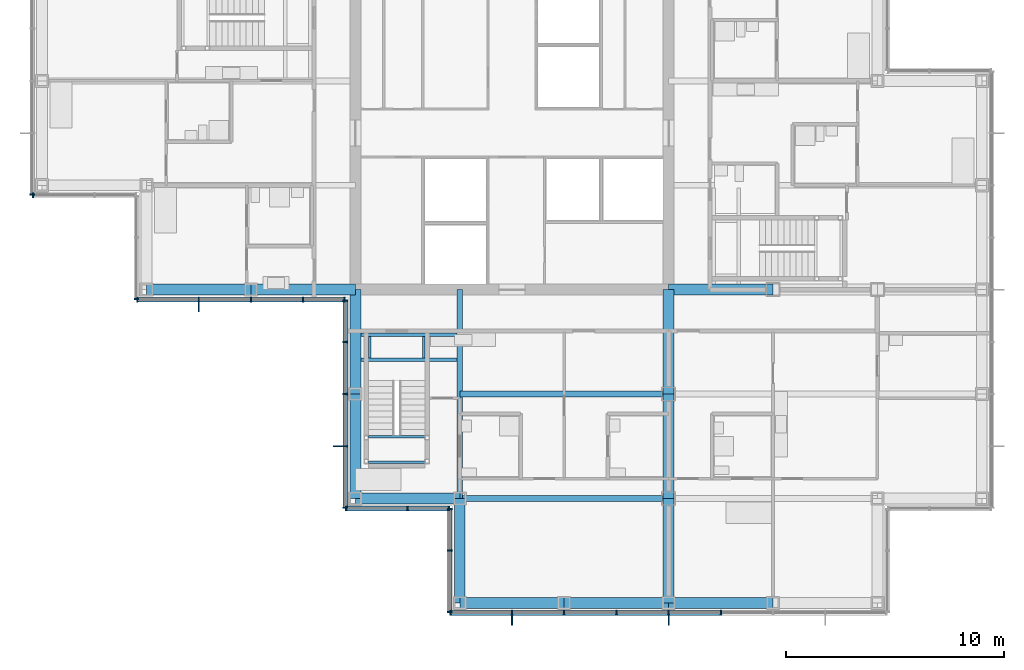
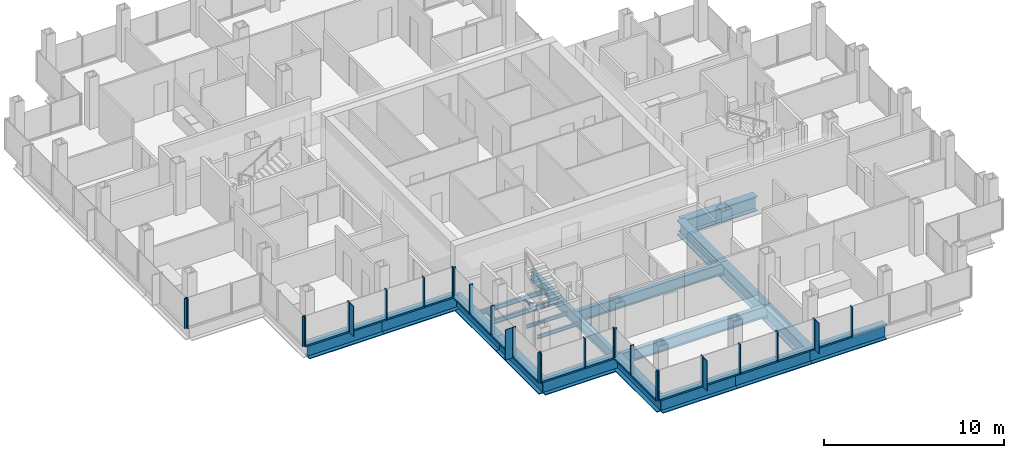
# One storey, part 6 of 20: 46 members, 22 beams, 8 elements without a shape of their own.
"""IFC4 building model written with IfcOpenShell, lengths in metres."""

from ifc_helpers import new_model, si_unit, direction, frame, origin, origin_2d, place, context, subcontext, project, spatial, rectangle, i_section, extrude, material, material_profile, profile_set, type_object, element, aggregate, save


model = new_model("IFC4")

# Units and contexts
model_context = context("Model", 3, precision=1e-05, world=origin(), true_north=direction((0.0, 1.0)))
body_context = subcontext(model_context, "Body", "Model", "MODEL_VIEW")
ifc_project = project(units=[si_unit("LENGTHUNIT", "METRE"), si_unit("AREAUNIT", "SQUARE_METRE"), si_unit("VOLUMEUNIT", "CUBIC_METRE"), si_unit("PLANEANGLEUNIT", "RADIAN"), si_unit("MASSUNIT", "GRAM", prefix="KILO")], contexts=[model_context])

# Site, building, storey
site_placement = place(None, origin())
site = spatial("IfcSite", under=ifc_project, at=site_placement, CompositionType="ELEMENT")
building_placement = place(site_placement, origin())
building = spatial("IfcBuilding", under=site, at=building_placement, Name="Kvirike Care Tower", CompositionType="ELEMENT")
storey_placement = place(building_placement, frame((0.0, 0.0, 133.0)))
storey = spatial("IfcBuildingStorey", under=building, at=storey_placement, Name="L36", CompositionType="ELEMENT", Elevation=133.0)

# Curtain wall, member
ifc_material_1 = material(Name="Anodised aluminium stick system", Category="aluminium")
curtain_wall_type = type_object("IfcCurtainWallType", Name="CW-B STICK CURTAIN WALL", PredefinedType="NOTDEFINED", material=ifc_material_1)
curtain_wall_1_placement = place(storey_placement, origin())
curtain_wall_1 = element("IfcCurtainWall", 1, at=curtain_wall_1_placement, inside=storey, type_object=curtain_wall_type, Name="Curtain wall L36 face 14", PredefinedType="NOTDEFINED")
ifc_material_2 = material(Name="Bronze anodised aluminium fin", Category="aluminium")
ifc_material_profile_1 = material_profile(ifc_material_2, rectangle(XDim=0.050048828125, YDim=0.449951171875, at=origin_2d()), Name="BRONZE FIN 450")
ifc_profile_set_1 = profile_set([ifc_material_profile_1], Name="Bronze anodised aluminium fin")
member_type_1 = type_object("IfcMemberType", Name="BRONZE FIN 450", PredefinedType="USERDEFINED", material=ifc_profile_set_1)
member_1_placement = place(storey_placement, frame((7.199951171875, 28.0048828125, 0.0), z_axis=(0.0, 0.0, 1.0), x_axis=(1.0, 0.0, 0.0)))
member_1 = element("IfcMember", 2, at=member_1_placement, type_object=member_type_1, Name="Bronze fin L36 face 14.2", ObjectType="FIN", PredefinedType="USERDEFINED", context=body_context, shape_type="SweptSolid", body=[
    extrude(rectangle(XDim=0.050048828125, YDim=0.449951171875, at=origin_2d()), origin(), (0.0, 0.0, 1.0), 2.050048828125),
])

curtain_wall_2_placement = place(storey_placement, origin())
curtain_wall_2 = element("IfcCurtainWall", 3, at=curtain_wall_2_placement, inside=storey, type_object=curtain_wall_type, Name="Curtain wall L36 face 15", PredefinedType="NOTDEFINED")
member_2_placement = place(storey_placement, frame((13.60498046875, 21.60009765625, 0.0), z_axis=(0.0, 0.0, 1.0), x_axis=(0.0, -1.0, 0.0)))
member_2 = element("IfcMember", 4, at=member_2_placement, type_object=member_type_1, Name="Bronze fin L36 face 15.4", ObjectType="FIN", PredefinedType="USERDEFINED", context=body_context, shape_type="SweptSolid", body=[
    extrude(rectangle(XDim=0.050048828125, YDim=0.449951171875, at=origin_2d()), origin(), (0.0, 0.0, 1.0), 2.050048828125),
])

# Curtain wall, members
curtain_wall_3_placement = place(storey_placement, origin())
curtain_wall_3 = element("IfcCurtainWall", 5, at=curtain_wall_3_placement, inside=storey, type_object=curtain_wall_type, Name="Curtain wall L36 face 18", PredefinedType="NOTDEFINED")
member_3_placement = place(storey_placement, frame((21.60009765625, 13.60498046875, 0.0), z_axis=(0.0, 0.0, 1.0), x_axis=(1.0, 0.0, 0.0)))
member_3 = element("IfcMember", 6, at=member_3_placement, type_object=member_type_1, Name="Bronze fin L36 face 18.2", ObjectType="FIN", PredefinedType="USERDEFINED", context=body_context, shape_type="SweptSolid", body=[
    extrude(rectangle(XDim=0.050048828125, YDim=0.449951171875, at=origin_2d()), origin(), (0.0, 0.0, 1.0), 2.050048828125),
])
member_4_placement = place(storey_placement, frame((28.800048828125, 13.60498046875, 0.0), z_axis=(0.0, 0.0, 1.0), x_axis=(1.0, 0.0, 0.0)))
member_4 = element("IfcMember", 7, at=member_4_placement, type_object=member_type_1, Name="Bronze fin L36 face 18.5", ObjectType="FIN", PredefinedType="USERDEFINED", context=body_context, shape_type="SweptSolid", body=[
    extrude(rectangle(XDim=0.050048828125, YDim=0.449951171875, at=origin_2d()), origin(), (0.0, 0.0, 1.0), 2.050048828125),
])

# Curtain wall, member
curtain_wall_4_placement = place(storey_placement, origin())
curtain_wall_4 = element("IfcCurtainWall", 8, at=curtain_wall_4_placement, inside=storey, type_object=curtain_wall_type, Name="Curtain wall L36 face 11", PredefinedType="NOTDEFINED")
ifc_material_3 = material(Name="Bronze anodised aluminium mullion", Category="aluminium")
ifc_material_profile_2 = material_profile(ifc_material_3, rectangle(XDim=0.06494140625, YDim=0.219970703125, at=origin_2d()), Name="CW-B MULLION 65x220")
ifc_profile_set_2 = profile_set([ifc_material_profile_2], Name="Bronze anodised aluminium mullion")
member_type_2 = type_object("IfcMemberType", Name="CW-B MULLION 65x220", PredefinedType="MULLION", material=ifc_profile_set_2)
member_5_placement = place(storey_placement, frame((-0.4599609375, 33.172607421875, 0.0), z_axis=(0.0, 0.0, 1.0), x_axis=(0.0, -1.0, 0.0)))
member_5 = element("IfcMember", 9, at=member_5_placement, type_object=member_type_2, Name="CW-B mullion L36 face 11.9", PredefinedType="MULLION", context=body_context, shape_type="SweptSolid", body=[
    extrude(rectangle(XDim=0.06494140625, YDim=0.219970703125, at=origin_2d()), origin(), (0.0, 0.0, 1.0), 2.050048828125),
])
aggregate(curtain_wall_4, [member_5])

curtain_wall_5_placement = place(storey_placement, origin())
curtain_wall_5 = element("IfcCurtainWall", 10, at=curtain_wall_5_placement, inside=storey, type_object=curtain_wall_type, Name="Curtain wall L36 face 12", PredefinedType="NOTDEFINED")
member_6_placement = place(storey_placement, frame((-0.427490234375, 33.139892578125, 0.0), z_axis=(0.0, 0.0, 1.0), x_axis=(1.0, 0.0, 0.0)))
member_6 = element("IfcMember", 11, at=member_6_placement, type_object=member_type_2, Name="CW-B mullion L36 face 12.1", PredefinedType="MULLION", context=body_context, shape_type="SweptSolid", body=[
    extrude(rectangle(XDim=0.06494140625, YDim=0.219970703125, at=origin_2d()), origin(), (0.0, 0.0, 1.0), 2.050048828125),
])
aggregate(curtain_wall_5, [member_6])

curtain_wall_6_placement = place(storey_placement, origin())
curtain_wall_6 = element("IfcCurtainWall", 12, at=curtain_wall_6_placement, inside=storey, type_object=curtain_wall_type, Name="Curtain wall L36 face 13", PredefinedType="NOTDEFINED")
member_7_placement = place(storey_placement, frame((4.340087890625, 28.37255859375, 0.0), z_axis=(0.0, 0.0, 1.0), x_axis=(0.0, -1.0, 0.0)))
member_7 = element("IfcMember", 13, at=member_7_placement, type_object=member_type_2, Name="CW-B mullion L36 face 13.3", PredefinedType="MULLION", context=body_context, shape_type="SweptSolid", body=[
    extrude(rectangle(XDim=0.06494140625, YDim=0.219970703125, at=origin_2d()), origin(), (0.0, 0.0, 1.0), 2.050048828125),
])
aggregate(curtain_wall_6, [member_7])

# Member
member_8_placement = place(storey_placement, frame((4.37255859375, 28.340087890625, 0.0), z_axis=(0.0, 0.0, 1.0), x_axis=(1.0, 0.0, 0.0)))
member_8 = element("IfcMember", 14, at=member_8_placement, type_object=member_type_2, Name="CW-B mullion L36 face 14.1", PredefinedType="MULLION", context=body_context, shape_type="SweptSolid", body=[
    extrude(rectangle(XDim=0.06494140625, YDim=0.219970703125, at=origin_2d()), origin(), (0.0, 0.0, 1.0), 2.050048828125),
])

member_9_placement = place(storey_placement, frame((7.199951171875, 28.340087890625, 0.0), z_axis=(0.0, 0.0, 1.0), x_axis=(1.0, 0.0, 0.0)))
member_9 = element("IfcMember", 15, at=member_9_placement, type_object=member_type_2, Name="CW-B mullion L36 face 14.2", PredefinedType="MULLION", context=body_context, shape_type="SweptSolid", body=[
    extrude(rectangle(XDim=0.06494140625, YDim=0.219970703125, at=origin_2d()), origin(), (0.0, 0.0, 1.0), 2.050048828125),
])

member_10_placement = place(storey_placement, frame((9.60009765625, 28.340087890625, 0.0), z_axis=(0.0, 0.0, 1.0), x_axis=(1.0, 0.0, 0.0)))
member_10 = element("IfcMember", 16, at=member_10_placement, type_object=member_type_2, Name="CW-B mullion L36 face 14.3", PredefinedType="MULLION", context=body_context, shape_type="SweptSolid", body=[
    extrude(rectangle(XDim=0.06494140625, YDim=0.219970703125, at=origin_2d()), origin(), (0.0, 0.0, 1.0), 2.050048828125),
])

member_11_placement = place(storey_placement, frame((12.0, 28.340087890625, 0.0), z_axis=(0.0, 0.0, 1.0), x_axis=(1.0, 0.0, 0.0)))
member_11 = element("IfcMember", 17, at=member_11_placement, type_object=member_type_2, Name="CW-B mullion L36 face 14.4", PredefinedType="MULLION", context=body_context, shape_type="SweptSolid", body=[
    extrude(rectangle(XDim=0.06494140625, YDim=0.219970703125, at=origin_2d()), origin(), (0.0, 0.0, 1.0), 2.050048828125),
])

member_12_placement = place(storey_placement, frame((13.907470703125, 28.340087890625, 0.0), z_axis=(0.0, 0.0, 1.0), x_axis=(1.0, 0.0, 0.0)))
member_12 = element("IfcMember", 18, at=member_12_placement, type_object=member_type_2, Name="CW-B mullion L36 face 14.5", PredefinedType="MULLION", context=body_context, shape_type="SweptSolid", body=[
    extrude(rectangle(XDim=0.06494140625, YDim=0.219970703125, at=origin_2d()), origin(), (0.0, 0.0, 1.0), 2.050048828125),
])

member_13_placement = place(storey_placement, frame((13.93994140625, 28.3076171875, 0.0), z_axis=(0.0, 0.0, 1.0), x_axis=(0.0, -1.0, 0.0)))
member_13 = element("IfcMember", 19, at=member_13_placement, type_object=member_type_2, Name="CW-B mullion L36 face 15.1", PredefinedType="MULLION", context=body_context, shape_type="SweptSolid", body=[
    extrude(rectangle(XDim=0.06494140625, YDim=0.219970703125, at=origin_2d()), origin(), (0.0, 0.0, 1.0), 2.050048828125),
])

member_14_placement = place(storey_placement, frame((13.93994140625, 26.39990234375, 0.0), z_axis=(0.0, 0.0, 1.0), x_axis=(0.0, -1.0, 0.0)))
member_14 = element("IfcMember", 20, at=member_14_placement, type_object=member_type_2, Name="CW-B mullion L36 face 15.2", PredefinedType="MULLION", context=body_context, shape_type="SweptSolid", body=[
    extrude(rectangle(XDim=0.06494140625, YDim=0.219970703125, at=origin_2d()), origin(), (0.0, 0.0, 1.0), 2.050048828125),
])

member_15_placement = place(storey_placement, frame((13.93994140625, 24.0, 0.0), z_axis=(0.0, 0.0, 1.0), x_axis=(0.0, -1.0, 0.0)))
member_15 = element("IfcMember", 21, at=member_15_placement, type_object=member_type_2, Name="CW-B mullion L36 face 15.3", PredefinedType="MULLION", context=body_context, shape_type="SweptSolid", body=[
    extrude(rectangle(XDim=0.06494140625, YDim=0.219970703125, at=origin_2d()), origin(), (0.0, 0.0, 1.0), 2.050048828125),
])

member_16_placement = place(storey_placement, frame((13.93994140625, 21.60009765625, 0.0), z_axis=(0.0, 0.0, 1.0), x_axis=(0.0, -1.0, 0.0)))
member_16 = element("IfcMember", 22, at=member_16_placement, type_object=member_type_2, Name="CW-B mullion L36 face 15.4", PredefinedType="MULLION", context=body_context, shape_type="SweptSolid", body=[
    extrude(rectangle(XDim=0.06494140625, YDim=0.219970703125, at=origin_2d()), origin(), (0.0, 0.0, 1.0), 2.050048828125),
])

member_17_placement = place(storey_placement, frame((13.93994140625, 18.7724609375, 0.0), z_axis=(0.0, 0.0, 1.0), x_axis=(0.0, -1.0, 0.0)))
member_17 = element("IfcMember", 23, at=member_17_placement, type_object=member_type_2, Name="CW-B mullion L36 face 15.5", PredefinedType="MULLION", context=body_context, shape_type="SweptSolid", body=[
    extrude(rectangle(XDim=0.06494140625, YDim=0.219970703125, at=origin_2d()), origin(), (0.0, 0.0, 1.0), 2.050048828125),
])

# Curtain wall, members
curtain_wall_7_placement = place(storey_placement, origin())
curtain_wall_7 = element("IfcCurtainWall", 24, at=curtain_wall_7_placement, inside=storey, type_object=curtain_wall_type, Name="Curtain wall L36 face 16", PredefinedType="NOTDEFINED")
member_18_placement = place(storey_placement, frame((13.972412109375, 18.739990234375, 0.0), z_axis=(0.0, 0.0, 1.0), x_axis=(1.0, 0.0, 0.0)))
member_18 = element("IfcMember", 25, at=member_18_placement, type_object=member_type_2, Name="CW-B mullion L36 face 16.1", PredefinedType="MULLION", context=body_context, shape_type="SweptSolid", body=[
    extrude(rectangle(XDim=0.06494140625, YDim=0.219970703125, at=origin_2d()), origin(), (0.0, 0.0, 1.0), 2.050048828125),
])
member_19_placement = place(storey_placement, frame((16.800048828125, 18.739990234375, 0.0), z_axis=(0.0, 0.0, 1.0), x_axis=(1.0, 0.0, 0.0)))
member_19 = element("IfcMember", 26, at=member_19_placement, type_object=member_type_2, Name="CW-B mullion L36 face 16.2", PredefinedType="MULLION", context=body_context, shape_type="SweptSolid", body=[
    extrude(rectangle(XDim=0.06494140625, YDim=0.219970703125, at=origin_2d()), origin(), (0.0, 0.0, 1.0), 2.050048828125),
])
member_20_placement = place(storey_placement, frame((18.70751953125, 18.739990234375, 0.0), z_axis=(0.0, 0.0, 1.0), x_axis=(1.0, 0.0, 0.0)))
member_20 = element("IfcMember", 27, at=member_20_placement, type_object=member_type_2, Name="CW-B mullion L36 face 16.3", PredefinedType="MULLION", context=body_context, shape_type="SweptSolid", body=[
    extrude(rectangle(XDim=0.06494140625, YDim=0.219970703125, at=origin_2d()), origin(), (0.0, 0.0, 1.0), 2.050048828125),
])

curtain_wall_8_placement = place(storey_placement, origin())
curtain_wall_8 = element("IfcCurtainWall", 28, at=curtain_wall_8_placement, inside=storey, type_object=curtain_wall_type, Name="Curtain wall L36 face 17", PredefinedType="NOTDEFINED")
member_21_placement = place(storey_placement, frame((18.739990234375, 18.70751953125, 0.0), z_axis=(0.0, 0.0, 1.0), x_axis=(0.0, -1.0, 0.0)))
member_21 = element("IfcMember", 29, at=member_21_placement, type_object=member_type_2, Name="CW-B mullion L36 face 17.1", PredefinedType="MULLION", context=body_context, shape_type="SweptSolid", body=[
    extrude(rectangle(XDim=0.06494140625, YDim=0.219970703125, at=origin_2d()), origin(), (0.0, 0.0, 1.0), 2.050048828125),
])
member_22_placement = place(storey_placement, frame((18.739990234375, 16.800048828125, 0.0), z_axis=(0.0, 0.0, 1.0), x_axis=(0.0, -1.0, 0.0)))
member_22 = element("IfcMember", 30, at=member_22_placement, type_object=member_type_2, Name="CW-B mullion L36 face 17.2", PredefinedType="MULLION", context=body_context, shape_type="SweptSolid", body=[
    extrude(rectangle(XDim=0.06494140625, YDim=0.219970703125, at=origin_2d()), origin(), (0.0, 0.0, 1.0), 2.050048828125),
])
member_23_placement = place(storey_placement, frame((18.739990234375, 13.972412109375, 0.0), z_axis=(0.0, 0.0, 1.0), x_axis=(0.0, -1.0, 0.0)))
member_23 = element("IfcMember", 31, at=member_23_placement, type_object=member_type_2, Name="CW-B mullion L36 face 17.3", PredefinedType="MULLION", context=body_context, shape_type="SweptSolid", body=[
    extrude(rectangle(XDim=0.06494140625, YDim=0.219970703125, at=origin_2d()), origin(), (0.0, 0.0, 1.0), 2.050048828125),
])

# Member
member_24_placement = place(storey_placement, frame((18.7724609375, 13.93994140625, 0.0), z_axis=(0.0, 0.0, 1.0), x_axis=(1.0, 0.0, 0.0)))
member_24 = element("IfcMember", 32, at=member_24_placement, type_object=member_type_2, Name="CW-B mullion L36 face 18.1", PredefinedType="MULLION", context=body_context, shape_type="SweptSolid", body=[
    extrude(rectangle(XDim=0.06494140625, YDim=0.219970703125, at=origin_2d()), origin(), (0.0, 0.0, 1.0), 2.050048828125),
])

member_25_placement = place(storey_placement, frame((21.60009765625, 13.93994140625, 0.0), z_axis=(0.0, 0.0, 1.0), x_axis=(1.0, 0.0, 0.0)))
member_25 = element("IfcMember", 33, at=member_25_placement, type_object=member_type_2, Name="CW-B mullion L36 face 18.2", PredefinedType="MULLION", context=body_context, shape_type="SweptSolid", body=[
    extrude(rectangle(XDim=0.06494140625, YDim=0.219970703125, at=origin_2d()), origin(), (0.0, 0.0, 1.0), 2.050048828125),
])

member_26_placement = place(storey_placement, frame((24.0, 13.93994140625, 0.0), z_axis=(0.0, 0.0, 1.0), x_axis=(1.0, 0.0, 0.0)))
member_26 = element("IfcMember", 34, at=member_26_placement, type_object=member_type_2, Name="CW-B mullion L36 face 18.3", PredefinedType="MULLION", context=body_context, shape_type="SweptSolid", body=[
    extrude(rectangle(XDim=0.06494140625, YDim=0.219970703125, at=origin_2d()), origin(), (0.0, 0.0, 1.0), 2.050048828125),
])

member_27_placement = place(storey_placement, frame((26.39990234375, 13.93994140625, 0.0), z_axis=(0.0, 0.0, 1.0), x_axis=(1.0, 0.0, 0.0)))
member_27 = element("IfcMember", 35, at=member_27_placement, type_object=member_type_2, Name="CW-B mullion L36 face 18.4", PredefinedType="MULLION", context=body_context, shape_type="SweptSolid", body=[
    extrude(rectangle(XDim=0.06494140625, YDim=0.219970703125, at=origin_2d()), origin(), (0.0, 0.0, 1.0), 2.050048828125),
])

member_28_placement = place(storey_placement, frame((28.800048828125, 13.93994140625, 0.0), z_axis=(0.0, 0.0, 1.0), x_axis=(1.0, 0.0, 0.0)))
member_28 = element("IfcMember", 36, at=member_28_placement, type_object=member_type_2, Name="CW-B mullion L36 face 18.5", PredefinedType="MULLION", context=body_context, shape_type="SweptSolid", body=[
    extrude(rectangle(XDim=0.06494140625, YDim=0.219970703125, at=origin_2d()), origin(), (0.0, 0.0, 1.0), 2.050048828125),
])

member_29_placement = place(storey_placement, frame((31.199951171875, 13.93994140625, 0.0), z_axis=(0.0, 0.0, 1.0), x_axis=(1.0, 0.0, 0.0)))
member_29 = element("IfcMember", 37, at=member_29_placement, type_object=member_type_2, Name="CW-B mullion L36 face 18.6", PredefinedType="MULLION", context=body_context, shape_type="SweptSolid", body=[
    extrude(rectangle(XDim=0.06494140625, YDim=0.219970703125, at=origin_2d()), origin(), (0.0, 0.0, 1.0), 2.050048828125),
])

ifc_material_4 = material(Name="Bronze anodised aluminium transom", Category="aluminium")
ifc_material_profile_3 = material_profile(ifc_material_4, rectangle(XDim=0.219970703125, YDim=0.10009765625, at=origin_2d()), Name="CW-B TRANSOM 220x100")
ifc_profile_set_3 = profile_set([ifc_material_profile_3], Name="Bronze anodised aluminium transom")
member_type_3 = type_object("IfcMemberType", Name="CW-B TRANSOM 220x100", PredefinedType="USERDEFINED", material=ifc_profile_set_3)
member_30_placement = place(storey_placement, frame((4.405029296875, 28.340087890625, 0.050048828125), z_axis=(1.0, 0.0, 0.0), x_axis=(0.0, 1.0, 0.0)))
member_30 = element("IfcMember", 38, at=member_30_placement, type_object=member_type_3, Name="CW-B sill transom L36 face 14.1", ObjectType="TRANSOM", PredefinedType="USERDEFINED", context=body_context, shape_type="SweptSolid", body=[
    extrude(rectangle(XDim=0.219970703125, YDim=0.10009765625, at=origin_2d()), origin(), (0.0, 0.0, 1.0), 2.762451171875),
])

member_31_placement = place(storey_placement, frame((7.232421875, 28.340087890625, 0.050048828125), z_axis=(1.0, 0.0, 0.0), x_axis=(0.0, 1.0, 0.0)))
member_31 = element("IfcMember", 39, at=member_31_placement, type_object=member_type_3, Name="CW-B sill transom L36 face 14.2", ObjectType="TRANSOM", PredefinedType="USERDEFINED", context=body_context, shape_type="SweptSolid", body=[
    extrude(rectangle(XDim=0.219970703125, YDim=0.10009765625, at=origin_2d()), origin(), (0.0, 0.0, 1.0), 2.3349609375),
])

member_32_placement = place(storey_placement, frame((9.632568359375, 28.340087890625, 0.050048828125), z_axis=(1.0, 0.0, 0.0), x_axis=(0.0, 1.0, 0.0)))
member_32 = element("IfcMember", 40, at=member_32_placement, type_object=member_type_3, Name="CW-B sill transom L36 face 14.3", ObjectType="TRANSOM", PredefinedType="USERDEFINED", context=body_context, shape_type="SweptSolid", body=[
    extrude(rectangle(XDim=0.219970703125, YDim=0.10009765625, at=origin_2d()), origin(), (0.0, 0.0, 1.0), 2.3349609375),
])

member_33_placement = place(storey_placement, frame((12.032470703125, 28.340087890625, 0.050048828125), z_axis=(1.0, 0.0, 0.0), x_axis=(0.0, 1.0, 0.0)))
member_33 = element("IfcMember", 41, at=member_33_placement, type_object=member_type_3, Name="CW-B sill transom L36 face 14.4", ObjectType="TRANSOM", PredefinedType="USERDEFINED", context=body_context, shape_type="SweptSolid", body=[
    extrude(rectangle(XDim=0.219970703125, YDim=0.10009765625, at=origin_2d()), origin(), (0.0, 0.0, 1.0), 1.842529296875),
])

aggregate(curtain_wall_1, [member_8, member_9, member_1, member_10, member_11, member_12, member_30, member_31, member_32, member_33])

member_34_placement = place(storey_placement, frame((13.93994140625, 28.27490234375, 0.050048828125), z_axis=(0.0, -1.0, 0.0), x_axis=(1.0, 0.0, 0.0)))
member_34 = element("IfcMember", 42, at=member_34_placement, type_object=member_type_3, Name="CW-B sill transom L36 face 15.1", ObjectType="TRANSOM", PredefinedType="USERDEFINED", context=body_context, shape_type="SweptSolid", body=[
    extrude(rectangle(XDim=0.219970703125, YDim=0.10009765625, at=origin_2d()), origin(), (0.0, 0.0, 1.0), 1.84228515625),
])

member_35_placement = place(storey_placement, frame((13.93994140625, 26.367431640625, 0.050048828125), z_axis=(0.0, -1.0, 0.0), x_axis=(1.0, 0.0, 0.0)))
member_35 = element("IfcMember", 43, at=member_35_placement, type_object=member_type_3, Name="CW-B sill transom L36 face 15.2", ObjectType="TRANSOM", PredefinedType="USERDEFINED", context=body_context, shape_type="SweptSolid", body=[
    extrude(rectangle(XDim=0.219970703125, YDim=0.10009765625, at=origin_2d()), origin(), (0.0, 0.0, 1.0), 2.3349609375),
])

member_36_placement = place(storey_placement, frame((13.93994140625, 23.967529296875, 0.050048828125), z_axis=(0.0, -1.0, 0.0), x_axis=(1.0, 0.0, 0.0)))
member_36 = element("IfcMember", 44, at=member_36_placement, type_object=member_type_3, Name="CW-B sill transom L36 face 15.3", ObjectType="TRANSOM", PredefinedType="USERDEFINED", context=body_context, shape_type="SweptSolid", body=[
    extrude(rectangle(XDim=0.219970703125, YDim=0.10009765625, at=origin_2d()), origin(), (0.0, 0.0, 1.0), 2.3349609375),
])

member_37_placement = place(storey_placement, frame((13.93994140625, 21.5673828125, 0.050048828125), z_axis=(0.0, -1.0, 0.0), x_axis=(1.0, 0.0, 0.0)))
member_37 = element("IfcMember", 45, at=member_37_placement, type_object=member_type_3, Name="CW-B sill transom L36 face 15.4", ObjectType="TRANSOM", PredefinedType="USERDEFINED", context=body_context, shape_type="SweptSolid", body=[
    extrude(rectangle(XDim=0.219970703125, YDim=0.10009765625, at=origin_2d()), origin(), (0.0, 0.0, 1.0), 2.762451171875),
])

aggregate(curtain_wall_2, [member_13, member_14, member_15, member_16, member_2, member_17, member_34, member_35, member_36, member_37])

member_38_placement = place(storey_placement, frame((14.0048828125, 18.739990234375, 0.050048828125), z_axis=(1.0, 0.0, 0.0), x_axis=(0.0, 1.0, 0.0)))
member_38 = element("IfcMember", 46, at=member_38_placement, type_object=member_type_3, Name="CW-B sill transom L36 face 16.1", ObjectType="TRANSOM", PredefinedType="USERDEFINED", context=body_context, shape_type="SweptSolid", body=[
    extrude(rectangle(XDim=0.219970703125, YDim=0.10009765625, at=origin_2d()), origin(), (0.0, 0.0, 1.0), 2.7626953125),
])

member_39_placement = place(storey_placement, frame((16.83251953125, 18.739990234375, 0.050048828125), z_axis=(1.0, 0.0, 0.0), x_axis=(0.0, 1.0, 0.0)))
member_39 = element("IfcMember", 47, at=member_39_placement, type_object=member_type_3, Name="CW-B sill transom L36 face 16.2", ObjectType="TRANSOM", PredefinedType="USERDEFINED", context=body_context, shape_type="SweptSolid", body=[
    extrude(rectangle(XDim=0.219970703125, YDim=0.10009765625, at=origin_2d()), origin(), (0.0, 0.0, 1.0), 1.842529296875),
])

aggregate(curtain_wall_7, [member_18, member_19, member_20, member_38, member_39])

member_40_placement = place(storey_placement, frame((18.739990234375, 18.675048828125, 0.050048828125), z_axis=(0.0, -1.0, 0.0), x_axis=(1.0, 0.0, 0.0)))
member_40 = element("IfcMember", 48, at=member_40_placement, type_object=member_type_3, Name="CW-B sill transom L36 face 17.1", ObjectType="TRANSOM", PredefinedType="USERDEFINED", context=body_context, shape_type="SweptSolid", body=[
    extrude(rectangle(XDim=0.219970703125, YDim=0.10009765625, at=origin_2d()), origin(), (0.0, 0.0, 1.0), 1.842529296875),
])

member_41_placement = place(storey_placement, frame((18.739990234375, 16.767578125, 0.050048828125), z_axis=(0.0, -1.0, 0.0), x_axis=(1.0, 0.0, 0.0)))
member_41 = element("IfcMember", 49, at=member_41_placement, type_object=member_type_3, Name="CW-B sill transom L36 face 17.2", ObjectType="TRANSOM", PredefinedType="USERDEFINED", context=body_context, shape_type="SweptSolid", body=[
    extrude(rectangle(XDim=0.219970703125, YDim=0.10009765625, at=origin_2d()), origin(), (0.0, 0.0, 1.0), 2.7626953125),
])

aggregate(curtain_wall_8, [member_21, member_22, member_23, member_40, member_41])

member_42_placement = place(storey_placement, frame((18.804931640625, 13.93994140625, 0.050048828125), z_axis=(1.0, 0.0, 0.0), x_axis=(0.0, 1.0, 0.0)))
member_42 = element("IfcMember", 50, at=member_42_placement, type_object=member_type_3, Name="CW-B sill transom L36 face 18.1", ObjectType="TRANSOM", PredefinedType="USERDEFINED", context=body_context, shape_type="SweptSolid", body=[
    extrude(rectangle(XDim=0.219970703125, YDim=0.10009765625, at=origin_2d()), origin(), (0.0, 0.0, 1.0), 2.762451171875),
])

member_43_placement = place(storey_placement, frame((21.632568359375, 13.93994140625, 0.050048828125), z_axis=(1.0, 0.0, 0.0), x_axis=(0.0, 1.0, 0.0)))
member_43 = element("IfcMember", 51, at=member_43_placement, type_object=member_type_3, Name="CW-B sill transom L36 face 18.2", ObjectType="TRANSOM", PredefinedType="USERDEFINED", context=body_context, shape_type="SweptSolid", body=[
    extrude(rectangle(XDim=0.219970703125, YDim=0.10009765625, at=origin_2d()), origin(), (0.0, 0.0, 1.0), 2.3349609375),
])

member_44_placement = place(storey_placement, frame((24.032470703125, 13.93994140625, 0.050048828125), z_axis=(1.0, 0.0, 0.0), x_axis=(0.0, 1.0, 0.0)))
member_44 = element("IfcMember", 52, at=member_44_placement, type_object=member_type_3, Name="CW-B sill transom L36 face 18.3", ObjectType="TRANSOM", PredefinedType="USERDEFINED", context=body_context, shape_type="SweptSolid", body=[
    extrude(rectangle(XDim=0.219970703125, YDim=0.10009765625, at=origin_2d()), origin(), (0.0, 0.0, 1.0), 2.3349609375),
])

member_45_placement = place(storey_placement, frame((26.4326171875, 13.93994140625, 0.050048828125), z_axis=(1.0, 0.0, 0.0), x_axis=(0.0, 1.0, 0.0)))
member_45 = element("IfcMember", 53, at=member_45_placement, type_object=member_type_3, Name="CW-B sill transom L36 face 18.4", ObjectType="TRANSOM", PredefinedType="USERDEFINED", context=body_context, shape_type="SweptSolid", body=[
    extrude(rectangle(XDim=0.219970703125, YDim=0.10009765625, at=origin_2d()), origin(), (0.0, 0.0, 1.0), 2.3349609375),
])

member_46_placement = place(storey_placement, frame((28.83251953125, 13.93994140625, 0.050048828125), z_axis=(1.0, 0.0, 0.0), x_axis=(0.0, 1.0, 0.0)))
member_46 = element("IfcMember", 54, at=member_46_placement, type_object=member_type_3, Name="CW-B sill transom L36 face 18.5", ObjectType="TRANSOM", PredefinedType="USERDEFINED", context=body_context, shape_type="SweptSolid", body=[
    extrude(rectangle(XDim=0.219970703125, YDim=0.10009765625, at=origin_2d()), origin(), (0.0, 0.0, 1.0), 2.3349609375),
])

aggregate(curtain_wall_3, [member_24, member_25, member_3, member_26, member_27, member_28, member_4, member_29, member_42, member_43, member_44, member_45, member_46])

# Beams
ifc_material_5 = material(Name="Steel S355", Category="steel")
ifc_material_profile_4 = material_profile(ifc_material_5, i_section(OverallWidth=0.26806640625, OverallDepth=0.77001953125, WebThickness=0.015625, FlangeThickness=0.025390625, FilletRadius=0.01708984375, at=origin_2d()), Name="IPE 750x196")
ifc_profile_set_4 = profile_set([ifc_material_profile_4], Name="Steel S355")
beam_type_1 = type_object("IfcBeamType", Name="FLOOR BEAM IPE 750x196", PredefinedType="BEAM", material=ifc_profile_set_4)
for number, where, z_axis, x_axis, name in (
    (55, (19.199951171875, 19.199951171875, -0.554931640625), (1.0, 0.0, 0.0), (0.0, 1.0, 0.0), "Floor Beam E7-E9 L36"),
    (56, (19.199951171875, 24.0, -0.554931640625), (1.0, 0.0, 0.0), (0.0, 1.0, 0.0), "Floor Beam F7-F9 L36"),
    (57, (19.199951171875, 19.199951171875, -0.554931640625), (0.0, 1.0, 0.0), (-1.0, 0.0, 0.0), "Floor Beam E7-G7 L36"),
):
    element("IfcBeam", number, at=place(storey_placement, frame(where, z_axis=z_axis, x_axis=x_axis)), inside=storey, type_object=beam_type_1, Name=name, PredefinedType="BEAM", context=body_context, shape_type="SweptSolid", body=[
        extrude(i_section(OverallWidth=0.26806640625, OverallDepth=0.77001953125, WebThickness=0.015625, FlangeThickness=0.025390625, FilletRadius=0.01708984375, at=origin_2d()), origin(), (0.0, 0.0, 1.0), 9.60009765625),
    ])
ifc_material_6 = material(Name="Steel S355", Category="steel")
ifc_material_profile_5 = material_profile(ifc_material_6, i_section(OverallWidth=0.5, OverallDepth=1.0, WebThickness=0.030029296875, FlangeThickness=0.06005859375, at=origin_2d()), Name="PG 1000x500x30x60")
ifc_profile_set_5 = profile_set([ifc_material_profile_5], Name="Steel S355")
beam_type_2 = type_object("IfcBeamType", Name="FRAME BEAM PG 1000x500x30x60", PredefinedType="BEAM", material=ifc_profile_set_5)
for number, where, z_axis, x_axis, name in (
    (58, (28.800048828125, 28.800048828125, -0.669921875), (1.0, 0.0, 0.0), (0.0, 1.0, 0.0), "Frame Beam G9-G10 L36"),
    (59, (28.800048828125, 14.39990234375, -0.669921875), (0.0, 1.0, 0.0), (-1.0, 0.0, 0.0), "Frame Beam D9-E9 L36"),
    (60, (28.800048828125, 19.199951171875, -0.669921875), (0.0, 1.0, 0.0), (-1.0, 0.0, 0.0), "Frame Beam E9-F9 L36"),
    (61, (28.800048828125, 24.0, -0.669921875), (0.0, 1.0, 0.0), (-1.0, 0.0, 0.0), "Frame Beam F9-G9 L36"),
):
    element("IfcBeam", number, at=place(storey_placement, frame(where, z_axis=z_axis, x_axis=x_axis)), inside=storey, type_object=beam_type_2, Name=name, PredefinedType="BEAM", context=body_context, shape_type="SweptSolid", body=[
        extrude(i_section(OverallWidth=0.5, OverallDepth=1.0, WebThickness=0.030029296875, FlangeThickness=0.06005859375, at=origin_2d()), origin(), (0.0, 0.0, 1.0), 4.800048828125),
    ])
ifc_material_7 = material(Name="Steel S355", Category="steel")
ifc_material_profile_6 = material_profile(ifc_material_7, i_section(OverallWidth=0.5, OverallDepth=1.0, WebThickness=0.030029296875, FlangeThickness=0.06005859375, at=origin_2d()), Name="PG 1000x500x30x60")
ifc_profile_set_6 = profile_set([ifc_material_profile_6], Name="Steel S355")
beam_type_3 = type_object("IfcBeamType", Name="SPANDREL PG 1000x500x30x60", PredefinedType="SPANDREL", material=ifc_profile_set_6)
for number, where, z_axis, x_axis, name in (
    (62, (19.199951171875, 14.39990234375, -0.669921875), (1.0, 0.0, 0.0), (0.0, 1.0, 0.0), "Spandrel D7-D8 L36"),
    (63, (24.0, 14.39990234375, -0.669921875), (1.0, 0.0, 0.0), (0.0, 1.0, 0.0), "Spandrel D8-D9 L36"),
    (64, (28.800048828125, 14.39990234375, -0.669921875), (1.0, 0.0, 0.0), (0.0, 1.0, 0.0), "Spandrel D9-D10 L36"),
    (65, (14.39990234375, 19.199951171875, -0.669921875), (1.0, 0.0, 0.0), (0.0, 1.0, 0.0), "Spandrel E6-E7 L36"),
    (66, (4.800048828125, 28.800048828125, -0.669921875), (1.0, 0.0, 0.0), (0.0, 1.0, 0.0), "Spandrel G4-G5 L36"),
):
    element("IfcBeam", number, at=place(storey_placement, frame(where, z_axis=z_axis, x_axis=x_axis)), inside=storey, type_object=beam_type_3, Name=name, PredefinedType="SPANDREL", context=body_context, shape_type="SweptSolid", body=[
        extrude(i_section(OverallWidth=0.5, OverallDepth=1.0, WebThickness=0.030029296875, FlangeThickness=0.06005859375, at=origin_2d()), origin(), (0.0, 0.0, 1.0), 4.800048828125),
    ])
beam_placement = place(storey_placement, frame((9.60009765625, 28.800048828125, -0.669921875), z_axis=(1.0, 0.0, 0.0), x_axis=(0.0, 1.0, 0.0)))
element("IfcBeam", 67, at=beam_placement, inside=storey, type_object=beam_type_3, Name="Spandrel G5-G6 L36", PredefinedType="SPANDREL", context=body_context, shape_type="SweptSolid", body=[
    extrude(i_section(OverallWidth=0.5, OverallDepth=1.0, WebThickness=0.030029296875, FlangeThickness=0.06005859375, at=origin_2d()), origin(), (0.0, 0.0, 1.0), 4.7998046875),
])
for number, where, z_axis, x_axis, name in (
    (68, (14.39990234375, 19.199951171875, -0.669921875), (0.0, 1.0, 0.0), (-1.0, 0.0, 0.0), "Spandrel E6-F6 L36"),
    (69, (14.39990234375, 24.0, -0.669921875), (0.0, 1.0, 0.0), (-1.0, 0.0, 0.0), "Spandrel F6-G6 L36"),
    (70, (19.199951171875, 14.39990234375, -0.669921875), (0.0, 1.0, 0.0), (-1.0, 0.0, 0.0), "Spandrel D7-E7 L36"),
):
    element("IfcBeam", number, at=place(storey_placement, frame(where, z_axis=z_axis, x_axis=x_axis)), inside=storey, type_object=beam_type_3, Name=name, PredefinedType="SPANDREL", context=body_context, shape_type="SweptSolid", body=[
        extrude(i_section(OverallWidth=0.5, OverallDepth=1.0, WebThickness=0.030029296875, FlangeThickness=0.06005859375, at=origin_2d()), origin(), (0.0, 0.0, 1.0), 4.800048828125),
    ])
ifc_material_8 = material(Name="Steel S355", Category="steel")
ifc_material_profile_7 = material_profile(ifc_material_8, i_section(OverallWidth=0.1201171875, OverallDepth=0.239990234375, WebThickness=0.006103515625, FlangeThickness=0.009765625, FilletRadius=0.014892578125, at=origin_2d()), Name="IPE 240")
ifc_profile_set_7 = profile_set([ifc_material_profile_7], Name="Steel S355")
beam_type_4 = type_object("IfcBeamType", Name="STAIR LANDING BEAM IPE 240", PredefinedType="BEAM", material=ifc_profile_set_7)
for number, where, z_axis, x_axis, name in (
    (71, (15.0, 20.860107421875, 1.429931640625), (1.0, 0.0, 0.0), (0.0, 1.0, 0.0), "Stair 5 landing beam back L36"),
    (72, (15.0, 22.0400390625, 1.429931640625), (1.0, 0.0, 0.0), (0.0, 1.0, 0.0), "Stair 5 landing beam front L36"),
):
    element("IfcBeam", number, at=place(storey_placement, frame(where, z_axis=z_axis, x_axis=x_axis)), inside=storey, type_object=beam_type_4, Name=name, PredefinedType="BEAM", context=body_context, shape_type="SweptSolid", body=[
        extrude(i_section(OverallWidth=0.1201171875, OverallDepth=0.239990234375, WebThickness=0.006103515625, FlangeThickness=0.009765625, FilletRadius=0.014892578125, at=origin_2d()), origin(), (0.0, 0.0, 1.0), 2.60009765625),
    ])
for number, where, z_axis, x_axis, name in (
    (73, (15.06005859375, 25.64990234375, -0.320068359375), (0.0, 1.0, 0.0), (-1.0, 0.0, 0.0), "Stair 5 landing edge beam 1 L36"),
    (74, (17.5400390625, 25.64990234375, -0.320068359375), (0.0, 1.0, 0.0), (-1.0, 0.0, 0.0), "Stair 5 landing edge beam 2 L36"),
):
    element("IfcBeam", number, at=place(storey_placement, frame(where, z_axis=z_axis, x_axis=x_axis)), inside=storey, type_object=beam_type_4, Name=name, PredefinedType="BEAM", context=body_context, shape_type="SweptSolid", body=[
        extrude(i_section(OverallWidth=0.1201171875, OverallDepth=0.239990234375, WebThickness=0.006103515625, FlangeThickness=0.009765625, FilletRadius=0.014892578125, at=origin_2d()), origin(), (0.0, 0.0, 1.0), 1.0),
    ])
ifc_material_9 = material(Name="Steel S355", Category="steel")
ifc_material_profile_8 = material_profile(ifc_material_9, i_section(OverallWidth=0.14990234375, OverallDepth=0.300048828125, WebThickness=0.007080078125, FlangeThickness=0.0107421875, FilletRadius=0.014892578125, at=origin_2d()), Name="IPE 300")
ifc_profile_set_8 = profile_set([ifc_material_profile_8], Name="Steel S355")
beam_type_5 = type_object("IfcBeamType", Name="STAIR TRIMMER IPE 300", PredefinedType="BEAM", material=ifc_profile_set_8)
for number, where, z_axis, x_axis, name in (
    (75, (14.64990234375, 25.574951171875, -0.35009765625), (1.0, 0.0, 0.0), (0.0, 1.0, 0.0), "Stair 5 trimmer 1 L36"),
    (76, (14.64990234375, 26.72509765625, -0.35009765625), (1.0, 0.0, 0.0), (0.0, 1.0, 0.0), "Stair 5 trimmer 2 L36"),
):
    element("IfcBeam", number, at=place(storey_placement, frame(where, z_axis=z_axis, x_axis=x_axis)), inside=storey, type_object=beam_type_5, Name=name, PredefinedType="BEAM", context=body_context, shape_type="SweptSolid", body=[
        extrude(i_section(OverallWidth=0.14990234375, OverallDepth=0.300048828125, WebThickness=0.007080078125, FlangeThickness=0.0107421875, FilletRadius=0.014892578125, at=origin_2d()), origin(), (0.0, 0.0, 1.0), 4.416015625),
    ])

save(model, "model.ifc")
